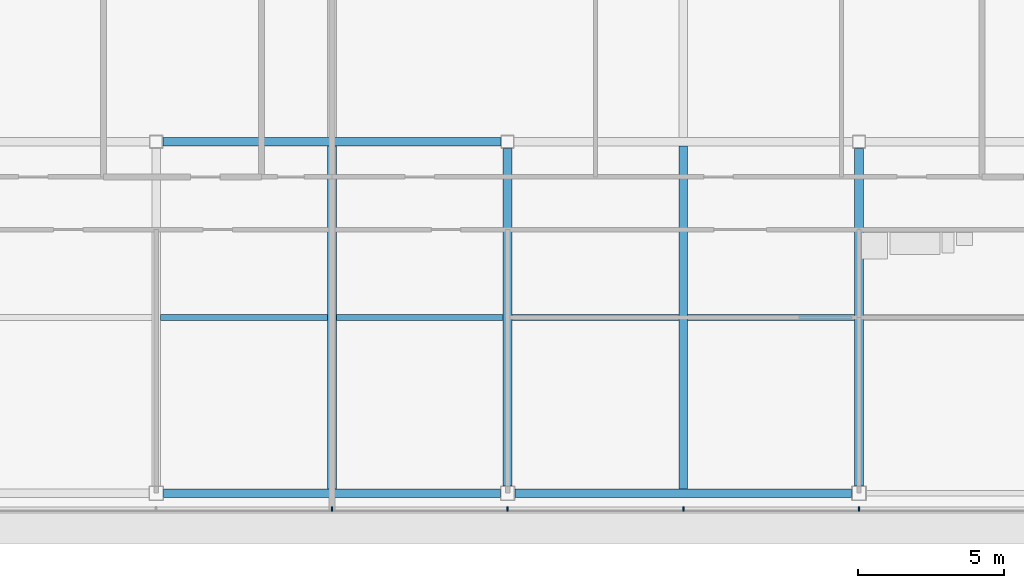
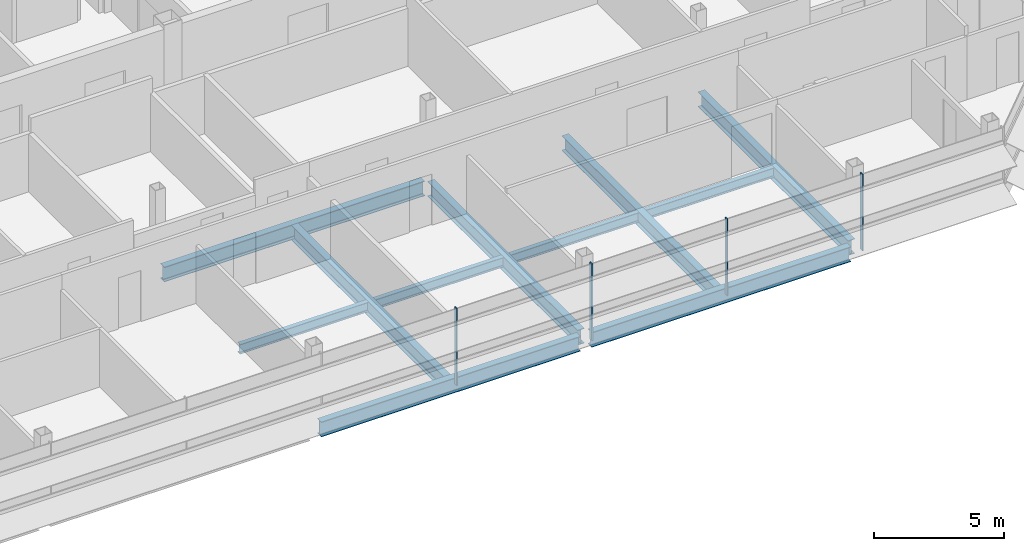
# One storey, part 10 of 27: 11 beams, 4 members, 1 element without a shape of its own.
"""IFC4 building model written with IfcOpenShell, lengths in metres."""

from ifc_helpers import new_model, si_unit, direction, frame, origin, origin_2d, place, context, subcontext, project, spatial, rectangle, i_section, extrude, material, material_profile, profile_set, type_object, element, aggregate, save


model = new_model("IFC4")

# Units and contexts
model_context = context("Model", 3, precision=1e-05, world=origin(), true_north=direction((0.0, 1.0)))
body_context = subcontext(model_context, "Body", "Model", "MODEL_VIEW")
ifc_project = project(units=[si_unit("LENGTHUNIT", "METRE"), si_unit("AREAUNIT", "SQUARE_METRE"), si_unit("VOLUMEUNIT", "CUBIC_METRE"), si_unit("PLANEANGLEUNIT", "RADIAN"), si_unit("MASSUNIT", "GRAM", prefix="KILO")], contexts=[model_context])

# Site, building, storey
site_placement = place(None, origin())
site = spatial("IfcSite", under=ifc_project, at=site_placement, CompositionType="ELEMENT")
building_placement = place(site_placement, origin())
building = spatial("IfcBuilding", under=site, at=building_placement, Name="Sorahane Residences", CompositionType="ELEMENT")
storey_placement = place(building_placement, frame((0.0, 0.0, 312.39990234375)))
storey = spatial("IfcBuildingStorey", under=building, at=storey_placement, Name="L74", CompositionType="ELEMENT", Elevation=312.39990234375)

# Curtain wall, members
ifc_material_1 = material(Name="Dark low-e glass and black anodised aluminium", Category="aluminium")
curtain_wall_type = type_object("IfcCurtainWallType", Name="Curtain wall CW-1 Typical unitised wall", PredefinedType="NOTDEFINED", material=ifc_material_1)
curtain_wall_placement = place(storey_placement, origin())
curtain_wall = element("IfcCurtainWall", 1, at=curtain_wall_placement, inside=storey, type_object=curtain_wall_type, Name="CW-1 curtain wall L74 S1", PredefinedType="NOTDEFINED")
ifc_material_2 = material(Name="Black anodised aluminium", Category="aluminium")
ifc_material_profile_1 = material_profile(ifc_material_2, rectangle(XDim=0.159912109375, YDim=0.050048828125, at=origin_2d()), Name="Curtain wall mullion CW-1 black anodised aluminium 50x160")
ifc_profile_set_1 = profile_set([ifc_material_profile_1], Name="Black anodised aluminium")
member_type = type_object("IfcMemberType", Name="Curtain wall mullion CW-1 black anodised aluminium 50x160", PredefinedType="MULLION", material=ifc_profile_set_1)
member_1_placement = place(storey_placement, frame((18.0, -0.5400390625, -0.179931640625), z_axis=(0.0, 0.0, 1.0), x_axis=(0.0, -1.0, 0.0)))
member_1 = element("IfcMember", 2, at=member_1_placement, type_object=member_type, Name="CW-1 mullion L74 S1.6", PredefinedType="MULLION", context=body_context, shape_type="SweptSolid", body=[
    extrude(rectangle(XDim=0.159912109375, YDim=0.050048828125, at=origin_2d()), origin(), (0.0, 0.0, 1.0), 3.60009765625),
])
member_2_placement = place(storey_placement, frame((24.0, -0.5400390625, -0.179931640625), z_axis=(0.0, 0.0, 1.0), x_axis=(0.0, -1.0, 0.0)))
member_2 = element("IfcMember", 3, at=member_2_placement, type_object=member_type, Name="CW-1 mullion L74 S1.7", PredefinedType="MULLION", context=body_context, shape_type="SweptSolid", body=[
    extrude(rectangle(XDim=0.159912109375, YDim=0.050048828125, at=origin_2d()), origin(), (0.0, 0.0, 1.0), 3.60009765625),
])
member_3_placement = place(storey_placement, frame((30.0, -0.5400390625, -0.179931640625), z_axis=(0.0, 0.0, 1.0), x_axis=(0.0, -1.0, 0.0)))
member_3 = element("IfcMember", 4, at=member_3_placement, type_object=member_type, Name="CW-1 mullion L74 S1.8", PredefinedType="MULLION", context=body_context, shape_type="SweptSolid", body=[
    extrude(rectangle(XDim=0.159912109375, YDim=0.050048828125, at=origin_2d()), origin(), (0.0, 0.0, 1.0), 3.60009765625),
])
member_4_placement = place(storey_placement, frame((36.0, -0.5400390625, -0.179931640625), z_axis=(0.0, 0.0, 1.0), x_axis=(0.0, -1.0, 0.0)))
member_4 = element("IfcMember", 5, at=member_4_placement, type_object=member_type, Name="CW-1 mullion L74 S1.9", PredefinedType="MULLION", context=body_context, shape_type="SweptSolid", body=[
    extrude(rectangle(XDim=0.159912109375, YDim=0.050048828125, at=origin_2d()), origin(), (0.0, 0.0, 1.0), 3.60009765625),
])
aggregate(curtain_wall, [member_1, member_2, member_3, member_4])

# Beams
ifc_material_3 = material(Name="Steel Q355B", Category="steel")
ifc_material_profile_2 = material_profile(ifc_material_3, i_section(OverallWidth=0.199951171875, OverallDepth=0.449951171875, WebThickness=0.009033203125, FlangeThickness=0.013916015625, FilletRadius=0.02001953125, at=origin_2d()), Name="HN 450x200x9x14")
ifc_profile_set_2 = profile_set([ifc_material_profile_2], Name="Steel Q355B")
beam_type_1 = type_object("IfcBeamType", Name="Steel floor beam HN 450x200x9x14 Q355B", PredefinedType="BEAM", material=ifc_profile_set_2)
for number, where, z_axis, x_axis, name in (
    (6, (12.14990234375, 6.0, -0.40478515625), (1.0, 0.0, 0.0), (0.0, 1.0, 0.0), "Beam L74 070"),
    (7, (18.14990234375, 6.0, -0.40478515625), (1.0, 0.0, 0.0), (0.0, 1.0, 0.0), "Beam L74 071"),
    (8, (24.14990234375, 6.0, -0.40478515625), (1.0, 0.0, 0.0), (0.0, 1.0, 0.0), "Beam L74 072"),
    (9, (30.14990234375, 6.0, -0.40478515625), (1.0, 0.0, 0.0), (0.0, 1.0, 0.0), "Beam L74 073"),
):
    element("IfcBeam", number, at=place(storey_placement, frame(where, z_axis=z_axis, x_axis=x_axis)), inside=storey, type_object=beam_type_1, Name=name, PredefinedType="BEAM", context=body_context, shape_type="SweptSolid", body=[
        extrude(i_section(OverallWidth=0.199951171875, OverallDepth=0.449951171875, WebThickness=0.009033203125, FlangeThickness=0.013916015625, FilletRadius=0.02001953125, at=origin_2d()), origin(), (0.0, 0.0, 1.0), 5.7001953125),
    ])
ifc_material_4 = material(Name="Steel Q355B", Category="steel")
ifc_material_profile_3 = material_profile(ifc_material_4, i_section(OverallWidth=0.300048828125, OverallDepth=0.699951171875, WebThickness=0.012939453125, FlangeThickness=0.02392578125, FilletRadius=0.028076171875, at=origin_2d()), Name="HN 700x300x13x24")
ifc_profile_set_3 = profile_set([ifc_material_profile_3], Name="Steel Q355B")
beam_type_2 = type_object("IfcBeamType", Name="Steel floor beam HN 700x300x13x24 Q355B", PredefinedType="BEAM", material=ifc_profile_set_3)
for number, where, z_axis, x_axis, name in (
    (10, (12.25, 0.0, -0.52978515625), (1.0, 0.0, 0.0), (0.0, 1.0, 0.0), "Beam L74 002"),
    (11, (24.25, 0.0, -0.52978515625), (1.0, 0.0, 0.0), (0.0, 1.0, 0.0), "Beam L74 003"),
):
    element("IfcBeam", number, at=place(storey_placement, frame(where, z_axis=z_axis, x_axis=x_axis)), inside=storey, type_object=beam_type_2, Name=name, PredefinedType="BEAM", context=body_context, shape_type="SweptSolid", body=[
        extrude(i_section(OverallWidth=0.300048828125, OverallDepth=0.699951171875, WebThickness=0.012939453125, FlangeThickness=0.02392578125, FilletRadius=0.028076171875, at=origin_2d()), origin(), (0.0, 0.0, 1.0), 11.5),
    ])
beam_1_placement = place(storey_placement, frame((12.22509765625, 12.0, -0.52978515625), z_axis=(1.0, 0.0, 0.0), x_axis=(0.0, 1.0, 0.0)))
element("IfcBeam", 12, at=beam_1_placement, inside=storey, type_object=beam_type_2, Name="Beam L74 008", PredefinedType="BEAM", context=body_context, shape_type="SweptSolid", body=[
    extrude(i_section(OverallWidth=0.300048828125, OverallDepth=0.699951171875, WebThickness=0.012939453125, FlangeThickness=0.02392578125, FilletRadius=0.028076171875, at=origin_2d()), origin(), (0.0, 0.0, 1.0), 11.5498046875),
])
beam_2_placement = place(storey_placement, frame((18.0, 0.14990234375, -0.52978515625), z_axis=(0.0, 1.0, 0.0), x_axis=(-1.0, 0.0, 0.0)))
element("IfcBeam", 13, at=beam_2_placement, inside=storey, type_object=beam_type_2, Name="Beam L74 040", PredefinedType="BEAM", context=body_context, shape_type="SweptSolid", body=[
    extrude(i_section(OverallWidth=0.300048828125, OverallDepth=0.699951171875, WebThickness=0.012939453125, FlangeThickness=0.02392578125, FilletRadius=0.028076171875, at=origin_2d()), origin(), (0.0, 0.0, 1.0), 11.7001953125),
])
beam_3_placement = place(storey_placement, frame((24.0, 0.25, -0.52978515625), z_axis=(0.0, 1.0, 0.0), x_axis=(-1.0, 0.0, 0.0)))
element("IfcBeam", 14, at=beam_3_placement, inside=storey, type_object=beam_type_2, Name="Beam L74 046", PredefinedType="BEAM", context=body_context, shape_type="SweptSolid", body=[
    extrude(i_section(OverallWidth=0.300048828125, OverallDepth=0.699951171875, WebThickness=0.012939453125, FlangeThickness=0.02392578125, FilletRadius=0.028076171875, at=origin_2d()), origin(), (0.0, 0.0, 1.0), 11.52490234375),
])
beam_4_placement = place(storey_placement, frame((30.0, 0.14990234375, -0.52978515625), z_axis=(0.0, 1.0, 0.0), x_axis=(-1.0, 0.0, 0.0)))
element("IfcBeam", 15, at=beam_4_placement, inside=storey, type_object=beam_type_2, Name="Beam L74 048", PredefinedType="BEAM", context=body_context, shape_type="SweptSolid", body=[
    extrude(i_section(OverallWidth=0.300048828125, OverallDepth=0.699951171875, WebThickness=0.012939453125, FlangeThickness=0.02392578125, FilletRadius=0.028076171875, at=origin_2d()), origin(), (0.0, 0.0, 1.0), 11.7001953125),
])
beam_5_placement = place(storey_placement, frame((36.0, 0.25, -0.52978515625), z_axis=(0.0, 1.0, 0.0), x_axis=(-1.0, 0.0, 0.0)))
element("IfcBeam", 16, at=beam_5_placement, inside=storey, type_object=beam_type_2, Name="Beam L74 054", PredefinedType="BEAM", context=body_context, shape_type="SweptSolid", body=[
    extrude(i_section(OverallWidth=0.300048828125, OverallDepth=0.699951171875, WebThickness=0.012939453125, FlangeThickness=0.02392578125, FilletRadius=0.028076171875, at=origin_2d()), origin(), (0.0, 0.0, 1.0), 11.52490234375),
])

save(model, "model.ifc")
